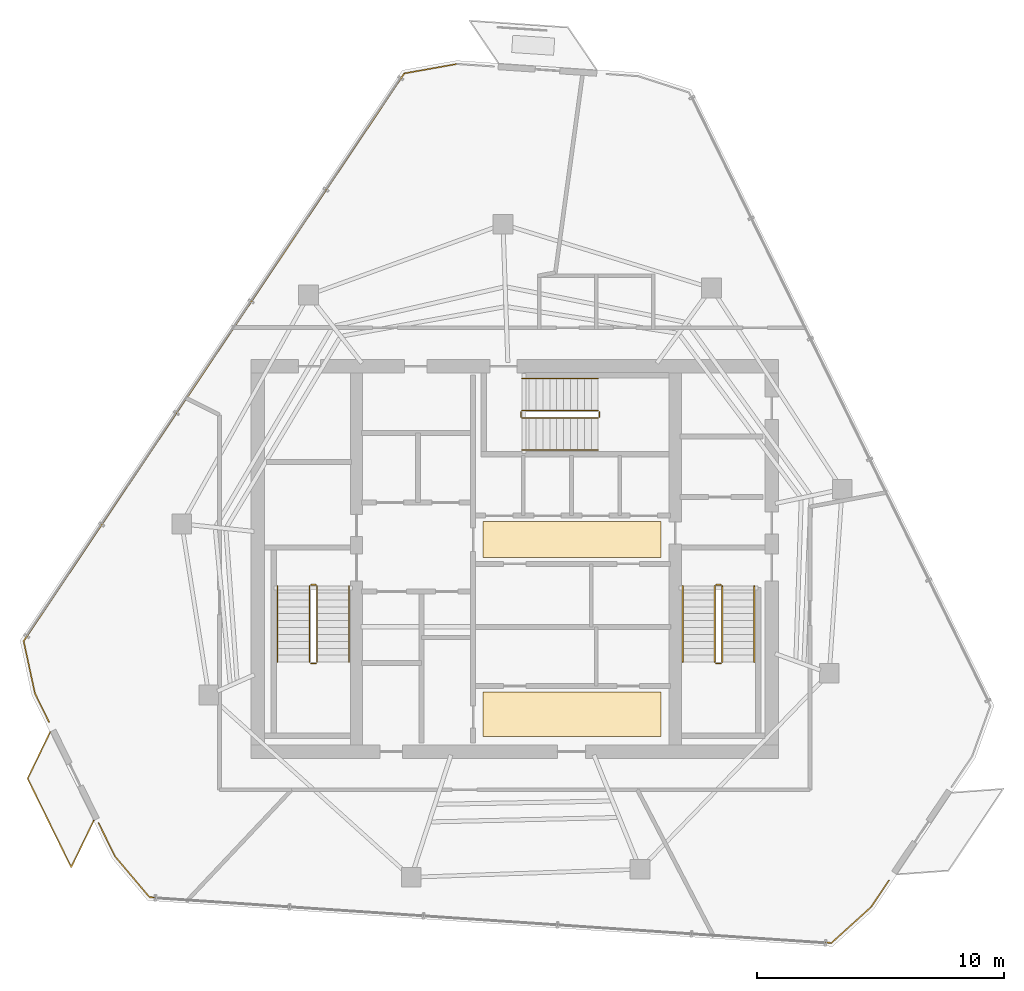
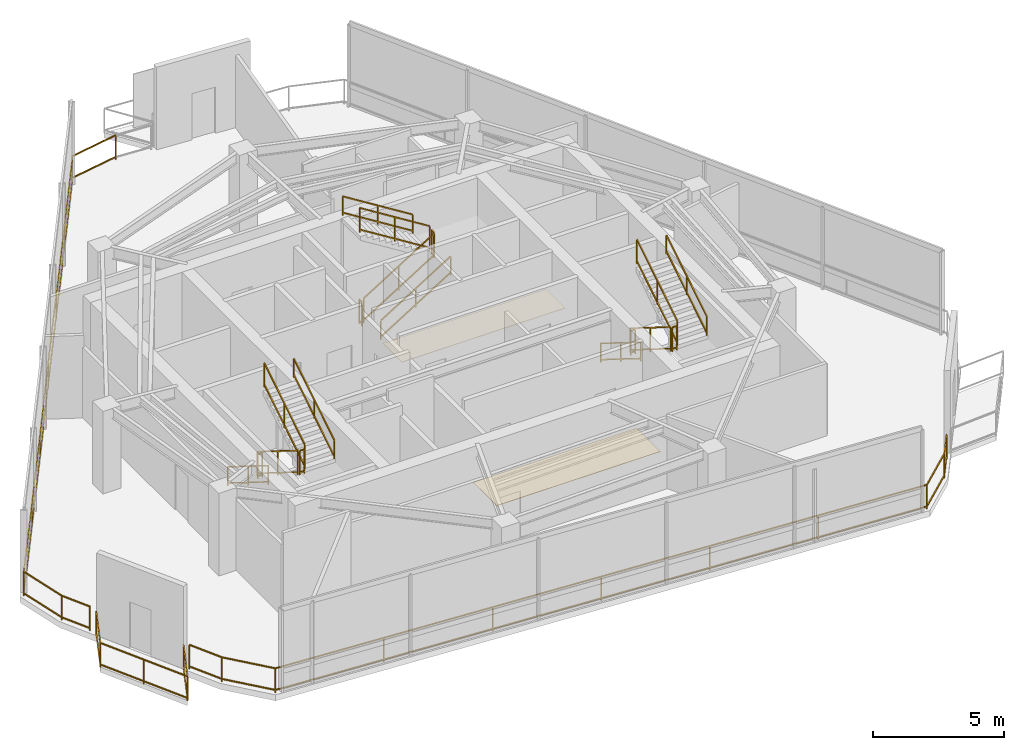
# One storey, part 17 of 18: 21 railings, 2 coverings.
"""IFC4 building model written with IfcOpenShell, lengths in metres."""

from ifc_helpers import new_model, si_unit, direction, frame, origin, origin_2d, place, context, subcontext, project, spatial, rectangle, extrude, material, layer, layer_set, type_object, element, save


model = new_model("IFC4")

# Units and contexts
model_context = context("Model", 3, precision=1e-05, world=origin(), true_north=direction((0.0, 1.0)))
body_context = subcontext(model_context, "Body", "Model", "MODEL_VIEW")
ifc_project = project(units=[si_unit("LENGTHUNIT", "METRE"), si_unit("AREAUNIT", "SQUARE_METRE"), si_unit("VOLUMEUNIT", "CUBIC_METRE"), si_unit("PLANEANGLEUNIT", "RADIAN"), si_unit("MASSUNIT", "GRAM", prefix="KILO")], contexts=[model_context])

# Site, building, storey
site_placement = place(None, origin())
site = spatial("IfcSite", under=ifc_project, at=site_placement, CompositionType="ELEMENT")
building_placement = place(site_placement, origin())
building = spatial("IfcBuilding", under=site, at=building_placement, Name="Qarnah Convention Tower", CompositionType="ELEMENT")
storey_placement = place(building_placement, frame((0.0, 0.0, 279.300048828125)))
storey = spatial("IfcBuildingStorey", under=building, at=storey_placement, Name="L75", CompositionType="ELEMENT", Elevation=279.300048828125)

# Coverings
ifc_material_1 = material(Name="Mineral fibre acoustic ceiling")
ifc_layer_1 = layer(ifc_material_1, 0.02001953125)
ifc_layer_set_1 = layer_set([ifc_layer_1], Name="Mineral fibre acoustic ceiling")
covering_type_1 = type_object("IfcCoveringType", Name="COV-CEIL-20", PredefinedType="CEILING", material=ifc_layer_set_1)
covering_1_placement = place(storey_placement, frame((39.52001953125, 27.179931640625, 2.2900390625), z_axis=(0.0, 0.0, 1.0), x_axis=(1.0, 0.0, 0.0)))
element("IfcCovering", 1, at=covering_1_placement, inside=storey, type_object=covering_type_1, Name="L75 lift lobby acoustic ceiling", PredefinedType="CEILING", context=body_context, shape_type="SweptSolid", body=[
    extrude(rectangle(XDim=7.199951171875, YDim=1.449951171875, at=origin_2d()), origin(), (0.0, 0.0, 1.0), 0.02001953125),
])
ifc_material_2 = material(Name="Porcelain stone floor tile", Category="masonry")
ifc_layer_2 = layer(ifc_material_2, 0.02001953125)
ifc_layer_set_2 = layer_set([ifc_layer_2], Name="Porcelain stone floor tile")
covering_type_2 = type_object("IfcCoveringType", Name="COV-FLOOR-20", PredefinedType="FLOORING", material=ifc_layer_set_2)
covering_2_placement = place(storey_placement, frame((39.52001953125, 20.1201171875, 0.0), z_axis=(0.0, 0.0, 1.0), x_axis=(1.0, 0.0, 0.0)))
element("IfcCovering", 2, at=covering_2_placement, inside=storey, type_object=covering_type_2, Name="L75 lift lobby porcelain stone flooring", PredefinedType="FLOORING", context=body_context, shape_type="SweptSolid", body=[
    extrude(rectangle(XDim=7.199951171875, YDim=1.800048828125, at=origin_2d()), origin(), (0.0, 0.0, 1.0), 0.02001953125),
])

# Railings
ifc_material_3 = material(Name="Black anodised aluminium", Category="aluminium")
railing_type_1 = type_object("IfcRailingType", Name="RL-EXT-GUARD-1150", PredefinedType="GUARDRAIL", material=ifc_material_3)
railing_1_placement = place(storey_placement, frame((52.341064453125, 13.376953125, 0.0)))
element("IfcRailing", 3, at=railing_1_placement, inside=storey, type_object=railing_type_1, Name="L75 slab-edge perimeter safety guard 03", PredefinedType="GUARDRAIL", context=body_context, shape_type="SweptSolid", body=[
    extrude(rectangle(XDim=0.048095703125, YDim=0.048095703125, at=origin_2d()), frame((0.0, 0.0, 1.1259765625), z_axis=(-0.556666901512, -0.8307357948, 0.0), x_axis=(0.8307357948, -0.556666901512, 0.0)), (0.0, 0.0, 1.0), 1.2880859375),
    extrude(rectangle(XDim=0.048095703125, YDim=0.048095703125, at=origin_2d()), frame((0.0, 0.0, 0.1201171875), z_axis=(-0.556666901512, -0.8307357948, 0.0), x_axis=(0.8307357948, -0.556666901512, 0.0)), (0.0, 0.0, 1.0), 1.2880859375),
    extrude(rectangle(XDim=0.048095703125, YDim=0.048095703125, at=origin_2d()), frame((-0.717041015625, -1.070068359375, 1.1259765625), z_axis=(-0.741383378736, -0.671081728058, 0.0), x_axis=(0.671081728058, -0.741383378736, 0.0)), (0.0, 0.0, 1.0), 2.16357421875),
    extrude(rectangle(XDim=0.048095703125, YDim=0.048095703125, at=origin_2d()), frame((-0.717041015625, -1.070068359375, 0.1201171875), z_axis=(-0.741383378736, -0.671081728058, 0.0), x_axis=(0.671081728058, -0.741383378736, 0.0)), (0.0, 0.0, 1.0), 2.16357421875),
    extrude(rectangle(XDim=0.048095703125, YDim=0.048095703125, at=origin_2d()), frame((-2.321044921875, -2.52197265625, 1.1259765625), z_axis=(-0.997754281304, 0.066980550451, 0.0), x_axis=(-0.066980550451, -0.997754281304, 0.0)), (0.0, 0.0, 1.0), 27.6650390625),
    extrude(rectangle(XDim=0.048095703125, YDim=0.048095703125, at=origin_2d()), frame((-2.321044921875, -2.52197265625, 0.1201171875), z_axis=(-0.997754281304, 0.066980550451, 0.0), x_axis=(-0.066980550451, -0.997754281304, 0.0)), (0.0, 0.0, 1.0), 27.6650390625),
    extrude(rectangle(XDim=0.048095703125, YDim=0.048095703125, at=origin_2d()), frame((-29.924072265625, -0.6689453125, 1.1259765625), z_axis=(-0.645198382269, 0.764015083305, 0.0), x_axis=(-0.764015083305, -0.645198382269, 0.0)), (0.0, 0.0, 1.0), 2.16357421875),
    extrude(rectangle(XDim=0.048095703125, YDim=0.048095703125, at=origin_2d()), frame((-29.924072265625, -0.6689453125, 0.1201171875), z_axis=(-0.645198382269, 0.764015083305, 0.0), x_axis=(-0.764015083305, -0.645198382269, 0.0)), (0.0, 0.0, 1.0), 2.16357421875),
    extrude(rectangle(XDim=0.048095703125, YDim=0.048095703125, at=origin_2d()), frame((-31.320068359375, 0.984130859375, 1.1259765625), z_axis=(-0.440486950992, 0.897759013325, 0.0), x_axis=(-0.897759013325, -0.440486950992, 0.0)), (0.0, 0.0, 1.0), 1.498046875),
    extrude(rectangle(XDim=0.048095703125, YDim=0.048095703125, at=origin_2d()), frame((-31.320068359375, 0.984130859375, 0.1201171875), z_axis=(-0.440486950992, 0.897759013325, 0.0), x_axis=(-0.897759013325, -0.440486950992, 0.0)), (0.0, 0.0, 1.0), 1.498046875),
    extrude(rectangle(XDim=0.0419921875, YDim=0.0419921875, at=origin_2d()), origin(), (0.0, 0.0, 1.0), 1.101806640625),
    extrude(rectangle(XDim=0.0419921875, YDim=0.0419921875, at=origin_2d()), frame((-0.717041015625, -1.070068359375, 0.0)), (0.0, 0.0, 1.0), 1.101806640625),
    extrude(rectangle(XDim=0.0419921875, YDim=0.0419921875, at=origin_2d()), frame((-2.321044921875, -2.52197265625, 0.0)), (0.0, 0.0, 1.0), 1.101806640625),
    extrude(rectangle(XDim=0.0419921875, YDim=0.0419921875, at=origin_2d()), frame((-6.921630859375, -2.213134765625, 0.0)), (0.0, 0.0, 1.0), 1.101806640625),
    extrude(rectangle(XDim=0.0419921875, YDim=0.0419921875, at=origin_2d()), frame((-11.52197265625, -1.904296875, 0.0)), (0.0, 0.0, 1.0), 1.101806640625),
    extrude(rectangle(XDim=0.0419921875, YDim=0.0419921875, at=origin_2d()), frame((-16.12255859375, -1.595458984375, 0.0)), (0.0, 0.0, 1.0), 1.101806640625),
    extrude(rectangle(XDim=0.0419921875, YDim=0.0419921875, at=origin_2d()), frame((-20.72314453125, -1.28662109375, 0.0)), (0.0, 0.0, 1.0), 1.101806640625),
    extrude(rectangle(XDim=0.0419921875, YDim=0.0419921875, at=origin_2d()), frame((-25.323486328125, -0.977783203125, 0.0)), (0.0, 0.0, 1.0), 1.101806640625),
    extrude(rectangle(XDim=0.0419921875, YDim=0.0419921875, at=origin_2d()), frame((-29.924072265625, -0.6689453125, 0.0)), (0.0, 0.0, 1.0), 1.101806640625),
    extrude(rectangle(XDim=0.0419921875, YDim=0.0419921875, at=origin_2d()), frame((-31.320068359375, 0.984130859375, 0.0)), (0.0, 0.0, 1.0), 1.101806640625),
    extrude(rectangle(XDim=0.0419921875, YDim=0.0419921875, at=origin_2d()), frame((-31.97998046875, 2.3291015625, 0.0)), (0.0, 0.0, 1.0), 1.101806640625),
])
railing_2_placement = place(storey_placement, frame((18.35107421875, 19.798095703125, 0.0)))
element("IfcRailing", 4, at=railing_2_placement, inside=storey, type_object=railing_type_1, Name="L75 slab-edge perimeter safety guard 04", PredefinedType="GUARDRAIL", context=body_context, shape_type="SweptSolid", body=[
    extrude(rectangle(XDim=0.048095703125, YDim=0.048095703125, at=origin_2d()), frame((0.0, 0.0, 1.1259765625), z_axis=(-0.441061925485, 0.897476672614, 0.0), x_axis=(-0.897476672614, -0.441061925485, 0.0)), (0.0, 0.0, 1.0), 1.2880859375),
    extrude(rectangle(XDim=0.048095703125, YDim=0.048095703125, at=origin_2d()), frame((0.0, 0.0, 0.1201171875), z_axis=(-0.441061925485, 0.897476672614, 0.0), x_axis=(-0.897476672614, -0.441061925485, 0.0)), (0.0, 0.0, 1.0), 1.2880859375),
    extrude(rectangle(XDim=0.048095703125, YDim=0.048095703125, at=origin_2d()), frame((-0.568115234375, 1.156005859375, 1.1259765625), z_axis=(-0.210785017085, 0.977532442721, 0.0), x_axis=(-0.977532442721, -0.210785017085, 0.0)), (0.0, 0.0, 1.0), 2.16357421875),
    extrude(rectangle(XDim=0.048095703125, YDim=0.048095703125, at=origin_2d()), frame((-0.568115234375, 1.156005859375, 0.1201171875), z_axis=(-0.210785017085, 0.977532442721, 0.0), x_axis=(-0.977532442721, -0.210785017085, 0.0)), (0.0, 0.0, 1.0), 2.16357421875),
    extrude(rectangle(XDim=0.048095703125, YDim=0.048095703125, at=origin_2d()), frame((-1.024169921875, 3.27099609375, 1.1259765625), z_axis=(0.556850833119, 0.830612514748, 0.0), x_axis=(-0.830612514748, 0.556850833119, 0.0)), (0.0, 0.0, 1.0), 27.666259765625),
    extrude(rectangle(XDim=0.048095703125, YDim=0.048095703125, at=origin_2d()), frame((-1.024169921875, 3.27099609375, 0.1201171875), z_axis=(0.556850833119, 0.830612514748, 0.0), x_axis=(-0.830612514748, 0.556850833119, 0.0)), (0.0, 0.0, 1.0), 27.666259765625),
    extrude(rectangle(XDim=0.048095703125, YDim=0.048095703125, at=origin_2d()), frame((14.3818359375, 26.2509765625, 1.1259765625), z_axis=(0.984403171186, 0.175927247915, 0.0), x_axis=(-0.175927247915, 0.984403171186, 0.0)), (0.0, 0.0, 1.0), 2.164794921875),
    extrude(rectangle(XDim=0.048095703125, YDim=0.048095703125, at=origin_2d()), frame((14.3818359375, 26.2509765625, 0.1201171875), z_axis=(0.984403171186, 0.175927247915, 0.0), x_axis=(-0.175927247915, 0.984403171186, 0.0)), (0.0, 0.0, 1.0), 2.164794921875),
    extrude(rectangle(XDim=0.0419921875, YDim=0.0419921875, at=origin_2d()), origin(), (0.0, 0.0, 1.0), 1.101806640625),
    extrude(rectangle(XDim=0.0419921875, YDim=0.0419921875, at=origin_2d()), frame((-0.568115234375, 1.156005859375, 0.0)), (0.0, 0.0, 1.0), 1.101806640625),
    extrude(rectangle(XDim=0.0419921875, YDim=0.0419921875, at=origin_2d()), frame((-1.024169921875, 3.27099609375, 0.0)), (0.0, 0.0, 1.0), 1.101806640625),
    extrude(rectangle(XDim=0.0419921875, YDim=0.0419921875, at=origin_2d()), frame((1.54345703125, 7.10107421875, 0.0)), (0.0, 0.0, 1.0), 1.101806640625),
    extrude(rectangle(XDim=0.0419921875, YDim=0.0419921875, at=origin_2d()), frame((4.111083984375, 10.930908203125, 0.0)), (0.0, 0.0, 1.0), 1.101806640625),
    extrude(rectangle(XDim=0.0419921875, YDim=0.0419921875, at=origin_2d()), frame((6.6787109375, 14.760986328125, 0.0)), (0.0, 0.0, 1.0), 1.101806640625),
    extrude(rectangle(XDim=0.0419921875, YDim=0.0419921875, at=origin_2d()), frame((9.24658203125, 18.591064453125, 0.0)), (0.0, 0.0, 1.0), 1.101806640625),
    extrude(rectangle(XDim=0.0419921875, YDim=0.0419921875, at=origin_2d()), frame((11.814208984375, 22.4208984375, 0.0)), (0.0, 0.0, 1.0), 1.101806640625),
    extrude(rectangle(XDim=0.0419921875, YDim=0.0419921875, at=origin_2d()), frame((14.3818359375, 26.2509765625, 0.0)), (0.0, 0.0, 1.0), 1.101806640625),
    extrude(rectangle(XDim=0.0419921875, YDim=0.0419921875, at=origin_2d()), frame((16.512939453125, 26.6318359375, 0.0)), (0.0, 0.0, 1.0), 1.101806640625),
])
railing_3_placement = place(storey_placement, frame((20.1630859375, 15.802978515625, 0.0)))
element("IfcRailing", 5, at=railing_3_placement, inside=storey, type_object=railing_type_1, Name="L75 balcony safety guard BAL-L75-C2", PredefinedType="GUARDRAIL", context=body_context, shape_type="SweptSolid", body=[
    extrude(rectangle(XDim=0.048095703125, YDim=0.048095703125, at=origin_2d()), frame((0.0, 0.0, 1.1259765625), z_axis=(-0.436124724136, -0.899886228919, 0.0), x_axis=(0.899886228919, -0.436124724136, 0.0)), (0.0, 0.0, 1.0), 2.09375),
    extrude(rectangle(XDim=0.048095703125, YDim=0.048095703125, at=origin_2d()), frame((0.0, 0.0, 0.1201171875), z_axis=(-0.436124724136, -0.899886228919, 0.0), x_axis=(0.899886228919, -0.436124724136, 0.0)), (0.0, 0.0, 1.0), 2.09375),
    extrude(rectangle(XDim=0.048095703125, YDim=0.048095703125, at=origin_2d()), frame((-0.9130859375, -1.884033203125, 1.1259765625), z_axis=(-0.440780506017, 0.897614920506, 0.0), x_axis=(-0.897614920506, -0.440780506017, 0.0)), (0.0, 0.0, 1.0), 3.99951171875),
    extrude(rectangle(XDim=0.048095703125, YDim=0.048095703125, at=origin_2d()), frame((-0.9130859375, -1.884033203125, 0.1201171875), z_axis=(-0.440780506017, 0.897614920506, 0.0), x_axis=(-0.897614920506, -0.440780506017, 0.0)), (0.0, 0.0, 1.0), 3.99951171875),
    extrude(rectangle(XDim=0.048095703125, YDim=0.048095703125, at=origin_2d()), frame((-2.676025390625, 1.7060546875, 1.1259765625), z_axis=(0.435652389343, 0.900114990243, 0.0), x_axis=(-0.900114990243, 0.435652389343, 0.0)), (0.0, 0.0, 1.0), 2.093017578125),
    extrude(rectangle(XDim=0.048095703125, YDim=0.048095703125, at=origin_2d()), frame((-2.676025390625, 1.7060546875, 0.1201171875), z_axis=(0.435652389343, 0.900114990243, 0.0), x_axis=(-0.900114990243, 0.435652389343, 0.0)), (0.0, 0.0, 1.0), 2.093017578125),
    extrude(rectangle(XDim=0.0419921875, YDim=0.0419921875, at=origin_2d()), origin(), (0.0, 0.0, 1.0), 1.101806640625),
    extrude(rectangle(XDim=0.0419921875, YDim=0.0419921875, at=origin_2d()), frame((-0.9130859375, -1.884033203125, 0.0)), (0.0, 0.0, 1.0), 1.101806640625),
    extrude(rectangle(XDim=0.0419921875, YDim=0.0419921875, at=origin_2d()), frame((-1.79443359375, -0.0888671875, 0.0)), (0.0, 0.0, 1.0), 1.101806640625),
    extrude(rectangle(XDim=0.0419921875, YDim=0.0419921875, at=origin_2d()), frame((-2.676025390625, 1.7060546875, 0.0)), (0.0, 0.0, 1.0), 1.101806640625),
    extrude(rectangle(XDim=0.0419921875, YDim=0.0419921875, at=origin_2d()), frame((-1.76416015625, 3.590087890625, 0.0)), (0.0, 0.0, 1.0), 1.101806640625),
])
ifc_material_4 = material(Name="Structural steel S355JR", Category="steel")
railing_type_2 = type_object("IfcRailingType", Name="RL-STAIR-GUARD-1150", PredefinedType="GUARDRAIL", material=ifc_material_4)
railing_4_placement = place(storey_placement, frame((28.89990234375, 25.300048828125, 0.175048828125)))
element("IfcRailing", 6, at=railing_4_placement, inside=storey, type_object=railing_type_2, Name="L75 ST-1 stair guard 1", PredefinedType="GUARDRAIL", context=body_context, shape_type="SweptSolid", body=[
    extrude(rectangle(XDim=0.048095703125, YDim=0.048095703125, at=origin_2d()), frame((0.0, 0.0, 1.1259765625), z_axis=(0.0, -0.848028513186, 0.529950602248), x_axis=(1.0, 0.0, 0.0)), (0.0, 0.0, 1.0), 3.632080078125),
    extrude(rectangle(XDim=0.048095703125, YDim=0.048095703125, at=origin_2d()), frame((0.0, 0.0, 0.1201171875), z_axis=(0.0, -0.848028513186, 0.529950602248), x_axis=(1.0, 0.0, 0.0)), (0.0, 0.0, 1.0), 3.632080078125),
    extrude(rectangle(XDim=0.0419921875, YDim=0.0419921875, at=origin_2d()), origin(), (0.0, 0.0, 1.0), 1.101806640625),
    extrude(rectangle(XDim=0.0419921875, YDim=0.0419921875, at=origin_2d()), frame((0.0, -1.5400390625, 0.96240234375)), (0.0, 0.0, 1.0), 1.101806640625),
    extrude(rectangle(XDim=0.0419921875, YDim=0.0419921875, at=origin_2d()), frame((0.0, -3.080078125, 1.9248046875)), (0.0, 0.0, 1.0), 1.101806640625),
])
railing_5_placement = place(storey_placement, frame((28.949951171875, 22.169921875, 2.099853515625)))
element("IfcRailing", 7, at=railing_5_placement, inside=storey, type_object=railing_type_2, Name="L75 ST-1 stair guard 2", PredefinedType="GUARDRAIL", context=body_context, shape_type="SweptSolid", body=[
    extrude(rectangle(XDim=0.048095703125, YDim=0.048095703125, at=origin_2d()), frame((0.0, 0.0, 1.1259765625), z_axis=(1.0, 0.0, 0.0), x_axis=(0.0, 1.0, 0.0)), (0.0, 0.0, 1.0), 0.199951171875),
    extrude(rectangle(XDim=0.048095703125, YDim=0.048095703125, at=origin_2d()), frame((0.0, 0.0, 0.1201171875), z_axis=(1.0, 0.0, 0.0), x_axis=(0.0, 1.0, 0.0)), (0.0, 0.0, 1.0), 0.199951171875),
    extrude(rectangle(XDim=0.0419921875, YDim=0.0419921875, at=origin_2d()), origin(), (0.0, 0.0, 1.0), 1.101806640625),
    extrude(rectangle(XDim=0.0419921875, YDim=0.0419921875, at=origin_2d()), frame((0.199951171875, 0.0, 0.0)), (0.0, 0.0, 1.0), 1.101806640625),
])
railing_6_placement = place(storey_placement, frame((29.199951171875, 22.219970703125, 2.27490234375)))
element("IfcRailing", 8, at=railing_6_placement, inside=storey, type_object=railing_type_2, Name="L75 ST-1 stair guard 3", PredefinedType="GUARDRAIL", context=body_context, shape_type="SweptSolid", body=[
    extrude(rectangle(XDim=0.048095703125, YDim=0.048095703125, at=origin_2d()), frame((0.0, 0.0, 1.1259765625), z_axis=(0.0, 0.847998304005, 0.529998940003), x_axis=(-1.0, 0.0, 0.0)), (0.0, 0.0, 1.0), 3.632080078125),
    extrude(rectangle(XDim=0.048095703125, YDim=0.048095703125, at=origin_2d()), frame((0.0, 0.0, 0.1201171875), z_axis=(0.0, 0.847998304005, 0.529998940003), x_axis=(-1.0, 0.0, 0.0)), (0.0, 0.0, 1.0), 3.632080078125),
    extrude(rectangle(XDim=0.0419921875, YDim=0.0419921875, at=origin_2d()), origin(), (0.0, 0.0, 1.0), 1.101806640625),
    extrude(rectangle(XDim=0.0419921875, YDim=0.0419921875, at=origin_2d()), frame((0.0, 1.5400390625, 0.96240234375)), (0.0, 0.0, 1.0), 1.101806640625),
    extrude(rectangle(XDim=0.0419921875, YDim=0.0419921875, at=origin_2d()), frame((0.0, 3.080078125, 1.925048828125)), (0.0, 0.0, 1.0), 1.101806640625),
])
railing_7_placement = place(storey_placement, frame((28.949951171875, 25.35009765625, 0.0)))
element("IfcRailing", 9, at=railing_7_placement, inside=storey, type_object=railing_type_2, Name="L75 ST-1 stair guard 4", PredefinedType="GUARDRAIL", context=body_context, shape_type="SweptSolid", body=[
    extrude(rectangle(XDim=0.048095703125, YDim=0.048095703125, at=origin_2d()), frame((0.0, 0.0, 1.1259765625), z_axis=(1.0, 0.0, 0.0), x_axis=(0.0, 1.0, 0.0)), (0.0, 0.0, 1.0), 0.199951171875),
    extrude(rectangle(XDim=0.048095703125, YDim=0.048095703125, at=origin_2d()), frame((0.0, 0.0, 0.1201171875), z_axis=(1.0, 0.0, 0.0), x_axis=(0.0, 1.0, 0.0)), (0.0, 0.0, 1.0), 0.199951171875),
    extrude(rectangle(XDim=0.0419921875, YDim=0.0419921875, at=origin_2d()), origin(), (0.0, 0.0, 1.0), 1.101806640625),
    extrude(rectangle(XDim=0.0419921875, YDim=0.0419921875, at=origin_2d()), frame((0.199951171875, 0.0, 0.0)), (0.0, 0.0, 1.0), 1.101806640625),
])
railing_8_placement = place(storey_placement, frame((45.300048828125, 25.300048828125, 0.175048828125)))
element("IfcRailing", 10, at=railing_8_placement, inside=storey, type_object=railing_type_2, Name="L75 ST-2 stair guard 1", PredefinedType="GUARDRAIL", context=body_context, shape_type="SweptSolid", body=[
    extrude(rectangle(XDim=0.048095703125, YDim=0.048095703125, at=origin_2d()), frame((0.0, 0.0, 1.1259765625), z_axis=(0.0, -0.848028513186, 0.529950602248), x_axis=(1.0, 0.0, 0.0)), (0.0, 0.0, 1.0), 3.632080078125),
    extrude(rectangle(XDim=0.048095703125, YDim=0.048095703125, at=origin_2d()), frame((0.0, 0.0, 0.1201171875), z_axis=(0.0, -0.848028513186, 0.529950602248), x_axis=(1.0, 0.0, 0.0)), (0.0, 0.0, 1.0), 3.632080078125),
    extrude(rectangle(XDim=0.0419921875, YDim=0.0419921875, at=origin_2d()), origin(), (0.0, 0.0, 1.0), 1.101806640625),
    extrude(rectangle(XDim=0.0419921875, YDim=0.0419921875, at=origin_2d()), frame((0.0, -1.5400390625, 0.96240234375)), (0.0, 0.0, 1.0), 1.101806640625),
    extrude(rectangle(XDim=0.0419921875, YDim=0.0419921875, at=origin_2d()), frame((0.0, -3.080078125, 1.9248046875)), (0.0, 0.0, 1.0), 1.101806640625),
])
railing_9_placement = place(storey_placement, frame((45.35009765625, 22.169921875, 2.099853515625)))
element("IfcRailing", 11, at=railing_9_placement, inside=storey, type_object=railing_type_2, Name="L75 ST-2 stair guard 2", PredefinedType="GUARDRAIL", context=body_context, shape_type="SweptSolid", body=[
    extrude(rectangle(XDim=0.048095703125, YDim=0.048095703125, at=origin_2d()), frame((0.0, 0.0, 1.1259765625), z_axis=(1.0, 0.0, 0.0), x_axis=(0.0, 1.0, 0.0)), (0.0, 0.0, 1.0), 0.199951171875),
    extrude(rectangle(XDim=0.048095703125, YDim=0.048095703125, at=origin_2d()), frame((0.0, 0.0, 0.1201171875), z_axis=(1.0, 0.0, 0.0), x_axis=(0.0, 1.0, 0.0)), (0.0, 0.0, 1.0), 0.199951171875),
    extrude(rectangle(XDim=0.0419921875, YDim=0.0419921875, at=origin_2d()), origin(), (0.0, 0.0, 1.0), 1.101806640625),
    extrude(rectangle(XDim=0.0419921875, YDim=0.0419921875, at=origin_2d()), frame((0.199951171875, 0.0, 0.0)), (0.0, 0.0, 1.0), 1.101806640625),
])
railing_10_placement = place(storey_placement, frame((45.60009765625, 22.219970703125, 2.27490234375)))
element("IfcRailing", 12, at=railing_10_placement, inside=storey, type_object=railing_type_2, Name="L75 ST-2 stair guard 3", PredefinedType="GUARDRAIL", context=body_context, shape_type="SweptSolid", body=[
    extrude(rectangle(XDim=0.048095703125, YDim=0.048095703125, at=origin_2d()), frame((0.0, 0.0, 1.1259765625), z_axis=(0.0, 0.847998304005, 0.529998940003), x_axis=(-1.0, 0.0, 0.0)), (0.0, 0.0, 1.0), 3.632080078125),
    extrude(rectangle(XDim=0.048095703125, YDim=0.048095703125, at=origin_2d()), frame((0.0, 0.0, 0.1201171875), z_axis=(0.0, 0.847998304005, 0.529998940003), x_axis=(-1.0, 0.0, 0.0)), (0.0, 0.0, 1.0), 3.632080078125),
    extrude(rectangle(XDim=0.0419921875, YDim=0.0419921875, at=origin_2d()), origin(), (0.0, 0.0, 1.0), 1.101806640625),
    extrude(rectangle(XDim=0.0419921875, YDim=0.0419921875, at=origin_2d()), frame((0.0, 1.5400390625, 0.96240234375)), (0.0, 0.0, 1.0), 1.101806640625),
    extrude(rectangle(XDim=0.0419921875, YDim=0.0419921875, at=origin_2d()), frame((0.0, 3.080078125, 1.925048828125)), (0.0, 0.0, 1.0), 1.101806640625),
])
railing_11_placement = place(storey_placement, frame((45.35009765625, 25.35009765625, 0.0)))
element("IfcRailing", 13, at=railing_11_placement, inside=storey, type_object=railing_type_2, Name="L75 ST-2 stair guard 4", PredefinedType="GUARDRAIL", context=body_context, shape_type="SweptSolid", body=[
    extrude(rectangle(XDim=0.048095703125, YDim=0.048095703125, at=origin_2d()), frame((0.0, 0.0, 1.1259765625), z_axis=(1.0, 0.0, 0.0), x_axis=(0.0, 1.0, 0.0)), (0.0, 0.0, 1.0), 0.199951171875),
    extrude(rectangle(XDim=0.048095703125, YDim=0.048095703125, at=origin_2d()), frame((0.0, 0.0, 0.1201171875), z_axis=(1.0, 0.0, 0.0), x_axis=(0.0, 1.0, 0.0)), (0.0, 0.0, 1.0), 0.199951171875),
    extrude(rectangle(XDim=0.0419921875, YDim=0.0419921875, at=origin_2d()), origin(), (0.0, 0.0, 1.0), 1.101806640625),
    extrude(rectangle(XDim=0.0419921875, YDim=0.0419921875, at=origin_2d()), frame((0.199951171875, 0.0, 0.0)), (0.0, 0.0, 1.0), 1.101806640625),
])
railing_12_placement = place(storey_placement, frame((37.5, 32.10009765625, 0.175048828125)))
element("IfcRailing", 14, at=railing_12_placement, inside=storey, type_object=railing_type_2, Name="L75 ST-3 stair guard 1", PredefinedType="GUARDRAIL", context=body_context, shape_type="SweptSolid", body=[
    extrude(rectangle(XDim=0.048095703125, YDim=0.048095703125, at=origin_2d()), frame((0.0, 0.0, 1.1259765625), z_axis=(0.848028513186, 0.0, 0.529950602248), x_axis=(0.0, 1.0, 0.0)), (0.0, 0.0, 1.0), 3.632080078125),
    extrude(rectangle(XDim=0.048095703125, YDim=0.048095703125, at=origin_2d()), frame((0.0, 0.0, 0.1201171875), z_axis=(0.848028513186, 0.0, 0.529950602248), x_axis=(0.0, 1.0, 0.0)), (0.0, 0.0, 1.0), 3.632080078125),
    extrude(rectangle(XDim=0.0419921875, YDim=0.0419921875, at=origin_2d()), origin(), (0.0, 0.0, 1.0), 1.101806640625),
    extrude(rectangle(XDim=0.0419921875, YDim=0.0419921875, at=origin_2d()), frame((1.5400390625, 0.0, 0.96240234375)), (0.0, 0.0, 1.0), 1.101806640625),
    extrude(rectangle(XDim=0.0419921875, YDim=0.0419921875, at=origin_2d()), frame((3.080078125, 0.0, 1.9248046875)), (0.0, 0.0, 1.0), 1.101806640625),
])
railing_13_placement = place(storey_placement, frame((40.6298828125, 32.14990234375, 2.099853515625)))
element("IfcRailing", 15, at=railing_13_placement, inside=storey, type_object=railing_type_2, Name="L75 ST-3 stair guard 2", PredefinedType="GUARDRAIL", context=body_context, shape_type="SweptSolid", body=[
    extrude(rectangle(XDim=0.048095703125, YDim=0.048095703125, at=origin_2d()), frame((0.0, 0.0, 1.1259765625), z_axis=(0.0, 1.0, 0.0), x_axis=(-1.0, 0.0, 0.0)), (0.0, 0.0, 1.0), 0.2001953125),
    extrude(rectangle(XDim=0.048095703125, YDim=0.048095703125, at=origin_2d()), frame((0.0, 0.0, 0.1201171875), z_axis=(0.0, 1.0, 0.0), x_axis=(-1.0, 0.0, 0.0)), (0.0, 0.0, 1.0), 0.2001953125),
    extrude(rectangle(XDim=0.0419921875, YDim=0.0419921875, at=origin_2d()), origin(), (0.0, 0.0, 1.0), 1.101806640625),
    extrude(rectangle(XDim=0.0419921875, YDim=0.0419921875, at=origin_2d()), frame((0.0, 0.2001953125, 0.0)), (0.0, 0.0, 1.0), 1.101806640625),
])
railing_14_placement = place(storey_placement, frame((40.580078125, 32.39990234375, 2.27490234375)))
element("IfcRailing", 16, at=railing_14_placement, inside=storey, type_object=railing_type_2, Name="L75 ST-3 stair guard 3", PredefinedType="GUARDRAIL", context=body_context, shape_type="SweptSolid", body=[
    extrude(rectangle(XDim=0.048095703125, YDim=0.048095703125, at=origin_2d()), frame((0.0, 0.0, 1.1259765625), z_axis=(-0.847998304005, 0.0, 0.529998940003), x_axis=(0.0, -1.0, 0.0)), (0.0, 0.0, 1.0), 3.632080078125),
    extrude(rectangle(XDim=0.048095703125, YDim=0.048095703125, at=origin_2d()), frame((0.0, 0.0, 0.1201171875), z_axis=(-0.847998304005, 0.0, 0.529998940003), x_axis=(0.0, -1.0, 0.0)), (0.0, 0.0, 1.0), 3.632080078125),
    extrude(rectangle(XDim=0.0419921875, YDim=0.0419921875, at=origin_2d()), origin(), (0.0, 0.0, 1.0), 1.101806640625),
    extrude(rectangle(XDim=0.0419921875, YDim=0.0419921875, at=origin_2d()), frame((-1.5400390625, 0.0, 0.96240234375)), (0.0, 0.0, 1.0), 1.101806640625),
    extrude(rectangle(XDim=0.0419921875, YDim=0.0419921875, at=origin_2d()), frame((-3.080078125, 0.0, 1.925048828125)), (0.0, 0.0, 1.0), 1.101806640625),
])
railing_15_placement = place(storey_placement, frame((37.449951171875, 32.14990234375, 0.0)))
element("IfcRailing", 17, at=railing_15_placement, inside=storey, type_object=railing_type_2, Name="L75 ST-3 stair guard 4", PredefinedType="GUARDRAIL", context=body_context, shape_type="SweptSolid", body=[
    extrude(rectangle(XDim=0.048095703125, YDim=0.048095703125, at=origin_2d()), frame((0.0, 0.0, 1.1259765625), z_axis=(0.0, 1.0, 0.0), x_axis=(-1.0, 0.0, 0.0)), (0.0, 0.0, 1.0), 0.2001953125),
    extrude(rectangle(XDim=0.048095703125, YDim=0.048095703125, at=origin_2d()), frame((0.0, 0.0, 0.1201171875), z_axis=(0.0, 1.0, 0.0), x_axis=(-1.0, 0.0, 0.0)), (0.0, 0.0, 1.0), 0.2001953125),
    extrude(rectangle(XDim=0.0419921875, YDim=0.0419921875, at=origin_2d()), origin(), (0.0, 0.0, 1.0), 1.101806640625),
    extrude(rectangle(XDim=0.0419921875, YDim=0.0419921875, at=origin_2d()), frame((0.0, 0.2001953125, 0.0)), (0.0, 0.0, 1.0), 1.101806640625),
])
railing_type_3 = type_object("IfcRailingType", Name="RL-STAIR-HAND-900", PredefinedType="HANDRAIL", material=ifc_material_4)
railing_16_placement = place(storey_placement, frame((27.60009765625, 25.300048828125, 0.175048828125)))
element("IfcRailing", 18, at=railing_16_placement, inside=storey, type_object=railing_type_3, Name="L75 ST-1 stair handrail 1", PredefinedType="HANDRAIL", context=body_context, shape_type="SweptSolid", body=[
    extrude(rectangle(XDim=0.048095703125, YDim=0.048095703125, at=origin_2d()), frame((0.0, 0.0, 0.8759765625), z_axis=(0.0, -0.848028513186, 0.529950602248), x_axis=(1.0, 0.0, 0.0)), (0.0, 0.0, 1.0), 3.632080078125),
    extrude(rectangle(XDim=0.048095703125, YDim=0.048095703125, at=origin_2d()), frame((0.0, 0.0, 0.1201171875), z_axis=(0.0, -0.848028513186, 0.529950602248), x_axis=(1.0, 0.0, 0.0)), (0.0, 0.0, 1.0), 3.632080078125),
    extrude(rectangle(XDim=0.0419921875, YDim=0.0419921875, at=origin_2d()), origin(), (0.0, 0.0, 1.0), 0.851806640625),
    extrude(rectangle(XDim=0.0419921875, YDim=0.0419921875, at=origin_2d()), frame((0.0, -1.5400390625, 0.96240234375)), (0.0, 0.0, 1.0), 0.851806640625),
    extrude(rectangle(XDim=0.0419921875, YDim=0.0419921875, at=origin_2d()), frame((0.0, -3.080078125, 1.9248046875)), (0.0, 0.0, 1.0), 0.851806640625),
])
railing_17_placement = place(storey_placement, frame((30.5, 22.219970703125, 2.27490234375)))
element("IfcRailing", 19, at=railing_17_placement, inside=storey, type_object=railing_type_3, Name="L75 ST-1 stair handrail 2", PredefinedType="HANDRAIL", context=body_context, shape_type="SweptSolid", body=[
    extrude(rectangle(XDim=0.048095703125, YDim=0.048095703125, at=origin_2d()), frame((0.0, 0.0, 0.8759765625), z_axis=(0.0, 0.847998304005, 0.529998940003), x_axis=(-1.0, 0.0, 0.0)), (0.0, 0.0, 1.0), 3.632080078125),
    extrude(rectangle(XDim=0.048095703125, YDim=0.048095703125, at=origin_2d()), frame((0.0, 0.0, 0.1201171875), z_axis=(0.0, 0.847998304005, 0.529998940003), x_axis=(-1.0, 0.0, 0.0)), (0.0, 0.0, 1.0), 3.632080078125),
    extrude(rectangle(XDim=0.0419921875, YDim=0.0419921875, at=origin_2d()), origin(), (0.0, 0.0, 1.0), 0.851806640625),
    extrude(rectangle(XDim=0.0419921875, YDim=0.0419921875, at=origin_2d()), frame((0.0, 1.5400390625, 0.96240234375)), (0.0, 0.0, 1.0), 0.851806640625),
    extrude(rectangle(XDim=0.0419921875, YDim=0.0419921875, at=origin_2d()), frame((0.0, 3.080078125, 1.925048828125)), (0.0, 0.0, 1.0), 0.851806640625),
])
railing_18_placement = place(storey_placement, frame((44.0, 25.300048828125, 0.175048828125)))
element("IfcRailing", 20, at=railing_18_placement, inside=storey, type_object=railing_type_3, Name="L75 ST-2 stair handrail 1", PredefinedType="HANDRAIL", context=body_context, shape_type="SweptSolid", body=[
    extrude(rectangle(XDim=0.048095703125, YDim=0.048095703125, at=origin_2d()), frame((0.0, 0.0, 0.8759765625), z_axis=(0.0, -0.848028513186, 0.529950602248), x_axis=(1.0, 0.0, 0.0)), (0.0, 0.0, 1.0), 3.632080078125),
    extrude(rectangle(XDim=0.048095703125, YDim=0.048095703125, at=origin_2d()), frame((0.0, 0.0, 0.1201171875), z_axis=(0.0, -0.848028513186, 0.529950602248), x_axis=(1.0, 0.0, 0.0)), (0.0, 0.0, 1.0), 3.632080078125),
    extrude(rectangle(XDim=0.0419921875, YDim=0.0419921875, at=origin_2d()), origin(), (0.0, 0.0, 1.0), 0.851806640625),
    extrude(rectangle(XDim=0.0419921875, YDim=0.0419921875, at=origin_2d()), frame((0.0, -1.5400390625, 0.96240234375)), (0.0, 0.0, 1.0), 0.851806640625),
    extrude(rectangle(XDim=0.0419921875, YDim=0.0419921875, at=origin_2d()), frame((0.0, -3.080078125, 1.9248046875)), (0.0, 0.0, 1.0), 0.851806640625),
])
railing_19_placement = place(storey_placement, frame((46.89990234375, 22.219970703125, 2.27490234375)))
element("IfcRailing", 21, at=railing_19_placement, inside=storey, type_object=railing_type_3, Name="L75 ST-2 stair handrail 2", PredefinedType="HANDRAIL", context=body_context, shape_type="SweptSolid", body=[
    extrude(rectangle(XDim=0.048095703125, YDim=0.048095703125, at=origin_2d()), frame((0.0, 0.0, 0.8759765625), z_axis=(0.0, 0.847998304005, 0.529998940003), x_axis=(-1.0, 0.0, 0.0)), (0.0, 0.0, 1.0), 3.632080078125),
    extrude(rectangle(XDim=0.048095703125, YDim=0.048095703125, at=origin_2d()), frame((0.0, 0.0, 0.1201171875), z_axis=(0.0, 0.847998304005, 0.529998940003), x_axis=(-1.0, 0.0, 0.0)), (0.0, 0.0, 1.0), 3.632080078125),
    extrude(rectangle(XDim=0.0419921875, YDim=0.0419921875, at=origin_2d()), origin(), (0.0, 0.0, 1.0), 0.851806640625),
    extrude(rectangle(XDim=0.0419921875, YDim=0.0419921875, at=origin_2d()), frame((0.0, 1.5400390625, 0.96240234375)), (0.0, 0.0, 1.0), 0.851806640625),
    extrude(rectangle(XDim=0.0419921875, YDim=0.0419921875, at=origin_2d()), frame((0.0, 3.080078125, 1.925048828125)), (0.0, 0.0, 1.0), 0.851806640625),
])
railing_20_placement = place(storey_placement, frame((37.5, 30.800048828125, 0.175048828125)))
element("IfcRailing", 22, at=railing_20_placement, inside=storey, type_object=railing_type_3, Name="L75 ST-3 stair handrail 1", PredefinedType="HANDRAIL", context=body_context, shape_type="SweptSolid", body=[
    extrude(rectangle(XDim=0.048095703125, YDim=0.048095703125, at=origin_2d()), frame((0.0, 0.0, 0.8759765625), z_axis=(0.848028513186, 0.0, 0.529950602248), x_axis=(0.0, 1.0, 0.0)), (0.0, 0.0, 1.0), 3.632080078125),
    extrude(rectangle(XDim=0.048095703125, YDim=0.048095703125, at=origin_2d()), frame((0.0, 0.0, 0.1201171875), z_axis=(0.848028513186, 0.0, 0.529950602248), x_axis=(0.0, 1.0, 0.0)), (0.0, 0.0, 1.0), 3.632080078125),
    extrude(rectangle(XDim=0.0419921875, YDim=0.0419921875, at=origin_2d()), origin(), (0.0, 0.0, 1.0), 0.851806640625),
    extrude(rectangle(XDim=0.0419921875, YDim=0.0419921875, at=origin_2d()), frame((1.5400390625, 0.0, 0.96240234375)), (0.0, 0.0, 1.0), 0.851806640625),
    extrude(rectangle(XDim=0.0419921875, YDim=0.0419921875, at=origin_2d()), frame((3.080078125, 0.0, 1.9248046875)), (0.0, 0.0, 1.0), 0.851806640625),
])
railing_21_placement = place(storey_placement, frame((40.580078125, 33.699951171875, 2.27490234375)))
element("IfcRailing", 23, at=railing_21_placement, inside=storey, type_object=railing_type_3, Name="L75 ST-3 stair handrail 2", PredefinedType="HANDRAIL", context=body_context, shape_type="SweptSolid", body=[
    extrude(rectangle(XDim=0.048095703125, YDim=0.048095703125, at=origin_2d()), frame((0.0, 0.0, 0.8759765625), z_axis=(-0.847998304005, 0.0, 0.529998940003), x_axis=(0.0, -1.0, 0.0)), (0.0, 0.0, 1.0), 3.632080078125),
    extrude(rectangle(XDim=0.048095703125, YDim=0.048095703125, at=origin_2d()), frame((0.0, 0.0, 0.1201171875), z_axis=(-0.847998304005, 0.0, 0.529998940003), x_axis=(0.0, -1.0, 0.0)), (0.0, 0.0, 1.0), 3.632080078125),
    extrude(rectangle(XDim=0.0419921875, YDim=0.0419921875, at=origin_2d()), origin(), (0.0, 0.0, 1.0), 0.851806640625),
    extrude(rectangle(XDim=0.0419921875, YDim=0.0419921875, at=origin_2d()), frame((-1.5400390625, 0.0, 0.96240234375)), (0.0, 0.0, 1.0), 0.851806640625),
    extrude(rectangle(XDim=0.0419921875, YDim=0.0419921875, at=origin_2d()), frame((-3.080078125, 0.0, 1.925048828125)), (0.0, 0.0, 1.0), 0.851806640625),
])

save(model, "model.ifc")
